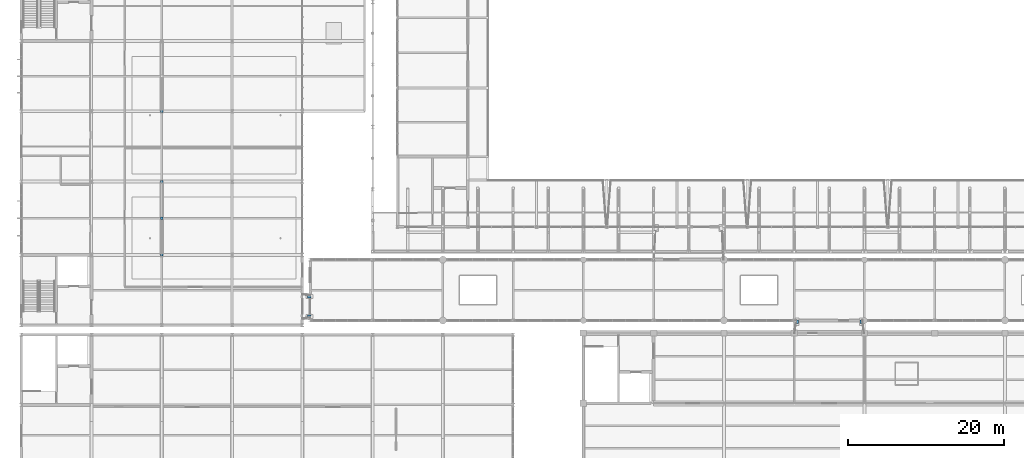
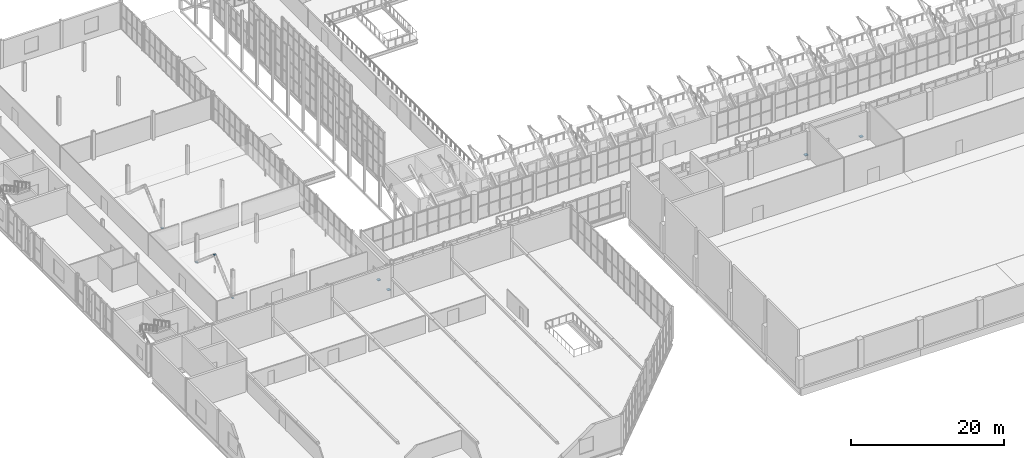
# One storey, part 123 of 134: 8 discrete accessories.
"""IFC4 building model written with IfcOpenShell, lengths in metres."""

from ifc_helpers import new_model, si_unit, direction, frame, origin, origin_2d, place, context, subcontext, project, spatial, rectangle, extrude, material, type_object, element, save


model = new_model("IFC4")

# Units and contexts
model_context = context("Model", 3, precision=1e-05, world=origin(), true_north=direction((0.0, 1.0)))
body_context = subcontext(model_context, "Body", "Model", "MODEL_VIEW")
ifc_project = project(units=[si_unit("LENGTHUNIT", "METRE"), si_unit("AREAUNIT", "SQUARE_METRE"), si_unit("VOLUMEUNIT", "CUBIC_METRE"), si_unit("PLANEANGLEUNIT", "RADIAN"), si_unit("MASSUNIT", "GRAM", prefix="KILO")], contexts=[model_context])

# Site, building, storey
site_placement = place(None, origin())
site = spatial("IfcSite", under=ifc_project, at=site_placement, CompositionType="ELEMENT")
building_placement = place(site_placement, origin())
building = spatial("IfcBuilding", under=site, at=building_placement, Name="Cazmaro Siding Exhibition Halls", CompositionType="ELEMENT")
storey_placement = place(building_placement, frame((0.0, 0.0, 12.0)))
storey = spatial("IfcBuildingStorey", under=building, at=storey_placement, Name="L02", CompositionType="ELEMENT", Elevation=12.0)

# Discrete accessories
ifc_material_1 = material(Name="PTFE Stainless Steel Elastomeric Bearing Assembly", Category="steel")
discrete_accessory_type_1 = type_object("IfcDiscreteAccessoryType", Name="SB-PTFE-01", PredefinedType="USERDEFINED", material=ifc_material_1)
for number, where, z_axis, x_axis, name in (
    (1, (99.35009765625, 55.050048828125, -0.571044921875), (0.0, 0.0, 1.0), (1.0, 0.0, 0.0), "Unguided Bi-Directional PTFE Sliding Bearing SB-03 L02"),
    (2, (107.64990234375, 55.050048828125, -0.571044921875), (0.0, 0.0, 1.0), (1.0, 0.0, 0.0), "Unguided Bi-Directional PTFE Sliding Bearing SB-03 L02"),
    (3, (36.89990234375, 55.699951171875, -0.571044921875), (0.0, 0.0, 1.0), (1.0, 0.0, 0.0), "Unguided Bi-Directional PTFE Sliding Bearing SB-04 L02"),
    (4, (36.89990234375, 58.300048828125, -0.571044921875), (0.0, 0.0, 1.0), (1.0, 0.0, 0.0), "Unguided Bi-Directional PTFE Sliding Bearing SB-04 L02"),
):
    element("IfcDiscreteAccessory", number, at=place(storey_placement, frame(where, z_axis=z_axis, x_axis=x_axis)), inside=storey, type_object=discrete_accessory_type_1, Name=name, ObjectType="SLIDING BEARING", PredefinedType="USERDEFINED", context=body_context, shape_type="SweptSolid", body=[
        extrude(rectangle(XDim=0.449951171875, YDim=0.449951171875, at=origin_2d()), origin(), (0.0, 0.0, 1.0), 0.1201171875),
    ])
ifc_material_2 = material(Name="Steel ASTM A572 Grade 50", Category="steel")
discrete_accessory_type_2 = type_object("IfcDiscreteAccessoryType", Name="GP-CONN-01", PredefinedType="BRACKET", material=ifc_material_2)
for number, where, z_axis, x_axis, name in (
    (5, (18.0, 63.60009765625, -0.01513671875), (0.0, 0.0, 1.0), (1.0, 0.0, 0.0), "Welded Steel Brace Node Gusset Connection GP-01 0026"),
    (6, (18.0, 68.300048828125, 3.9970703125), (0.0, 0.0, 1.0), (1.0, 0.0, 0.0), "Welded Steel Brace Node Gusset Connection GP-01 0030"),
    (7, (18.0, 73.0, -0.01513671875), (0.0, 0.0, 1.0), (1.0, 0.0, 0.0), "Welded Steel Brace Node Gusset Connection GP-01 0034"),
    (8, (18.0, 82.0, -0.01513671875), (0.0, 0.0, 1.0), (1.0, 0.0, 0.0), "Welded Steel Brace Node Gusset Connection GP-01 0038"),
):
    element("IfcDiscreteAccessory", number, at=place(storey_placement, frame(where, z_axis=z_axis, x_axis=x_axis)), inside=storey, type_object=discrete_accessory_type_2, Name=name, PredefinedType="BRACKET", context=body_context, shape_type="SweptSolid", body=[
        extrude(rectangle(XDim=0.320068359375, YDim=0.320068359375, at=origin_2d()), origin(), (0.0, 0.0, 1.0), 0.030029296875),
    ])

save(model, "model.ifc")
